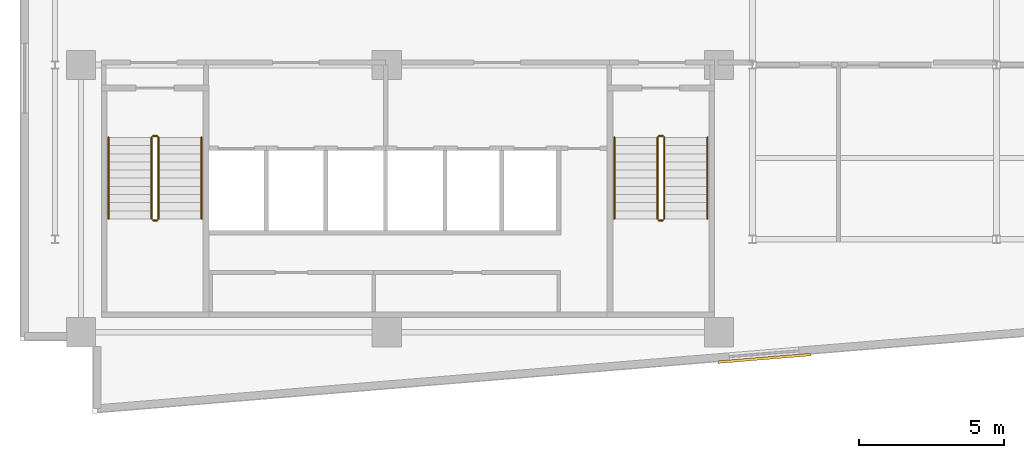
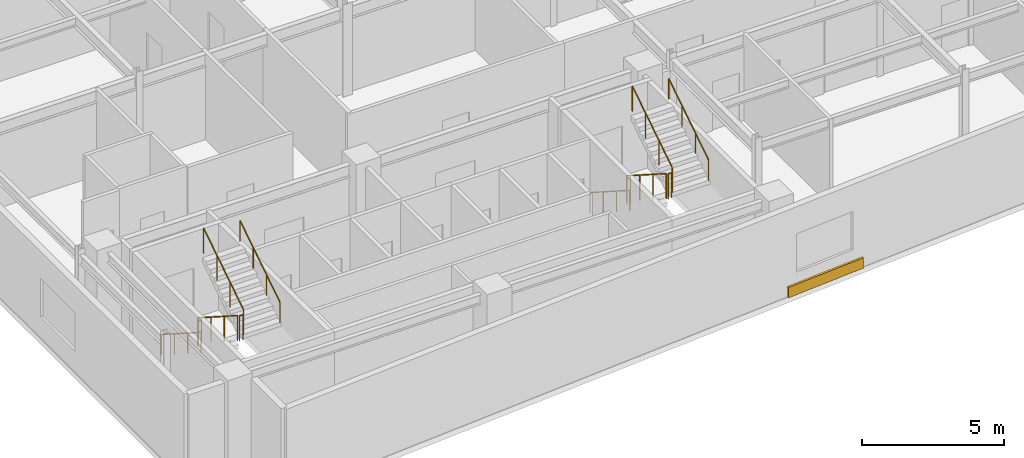
# One storey, part 12 of 14: 12 railings, 1 covering.
"""IFC4 building model written with IfcOpenShell, lengths in metres."""

from ifc_helpers import new_model, si_unit, direction, frame, origin, origin_2d, place, context, subcontext, project, spatial, rectangle, circle, extrude, material, layer, layer_set, type_object, element, save


model = new_model("IFC4")

# Units and contexts
model_context = context("Model", 3, precision=1e-05, world=origin(), true_north=direction((0.0, 1.0)))
body_context = subcontext(model_context, "Body", "Model", "MODEL_VIEW")
ifc_project = project(units=[si_unit("LENGTHUNIT", "METRE"), si_unit("AREAUNIT", "SQUARE_METRE"), si_unit("VOLUMEUNIT", "CUBIC_METRE"), si_unit("PLANEANGLEUNIT", "RADIAN"), si_unit("MASSUNIT", "GRAM", prefix="KILO")], contexts=[model_context])

# Site, building, storey
site_placement = place(None, origin())
site = spatial("IfcSite", under=ifc_project, at=site_placement, CompositionType="ELEMENT")
building_placement = place(site_placement, origin())
building = spatial("IfcBuilding", under=site, at=building_placement, Name="Varnakote Quay Hospital", CompositionType="ELEMENT")
storey_placement = place(building_placement, frame((0.0, 0.0, 211.85009765625)))
storey = spatial("IfcBuildingStorey", under=building, at=storey_placement, Name="L52", CompositionType="ELEMENT", Elevation=211.85009765625)

# Covering
ifc_material_1 = material(Name="Kiln-fired red brick architectural cladding", Category="masonry")
ifc_layer = layer(ifc_material_1, 0.090087890625)
ifc_layer_set = layer_set([ifc_layer], Name="Kiln-fired red brick architectural cladding")
covering_type = type_object("IfcCoveringType", Name="COV-BRICK-CLAD-90", PredefinedType="CLADDING", material=ifc_layer_set)
covering_placement = place(storey_placement, frame((25.613037109375, 1.901123046875, 0.0), z_axis=(0.0, 0.0, 1.0), x_axis=(0.996637386818, 0.08193850863, 0.0)))
element("IfcCovering", 1, at=covering_placement, inside=storey, type_object=covering_type, Name="L52 Kiln-Brick Precast Spandrel Cladding Band", PredefinedType="CLADDING", context=body_context, shape_type="SweptSolid", body=[
    extrude(rectangle(XDim=3.199951171875, YDim=0.090087890625, at=origin_2d()), origin(), (0.0, 0.0, 1.0), 0.449951171875),
])

# Railings
ifc_material_2 = material(Name="Brushed stainless steel balustrade", Category="steel")
railing_type_1 = type_object("IfcRailingType", Name="RLG-STAIR-GUARD-1150", PredefinedType="GUARDRAIL", material=ifc_material_2)
railing_1_placement = place(storey_placement, frame((4.530029296875, 9.5, 0.179443359375)))
element("IfcRailing", 2, at=railing_1_placement, inside=storey, type_object=railing_type_1, Name="L52 ST-01 stair guard 1", PredefinedType="GUARDRAIL", context=body_context, shape_type="SweptSolid", body=[
    extrude(circle(Radius=0.02392578125, at=origin_2d()), frame((0.0, 0.0, 1.076171875), z_axis=(0.0, -0.841809871826, 0.539774156196), x_axis=(1.0, 0.0, 0.0)), (0.0, 0.0, 1.0), 3.326171875),
    extrude(circle(Radius=0.02099609375, at=origin_2d()), origin(), (0.0, 0.0, 1.0), 1.052001953125),
    extrude(circle(Radius=0.02099609375, at=origin_2d()), frame((0.0, -0.933349609375, 0.598388671875)), (0.0, 0.0, 1.0), 1.052001953125),
    extrude(circle(Radius=0.02099609375, at=origin_2d()), frame((0.0, -1.86669921875, 1.197021484375)), (0.0, 0.0, 1.0), 1.052001953125),
    extrude(circle(Radius=0.02099609375, at=origin_2d()), frame((0.0, -2.800048828125, 1.79541015625)), (0.0, 0.0, 1.0), 1.052001953125),
])
railing_2_placement = place(storey_placement, frame((4.580078125, 6.64990234375, 1.974853515625)))
element("IfcRailing", 3, at=railing_2_placement, inside=storey, type_object=railing_type_1, Name="L52 ST-01 stair guard 2", PredefinedType="GUARDRAIL", context=body_context, shape_type="SweptSolid", body=[
    extrude(circle(Radius=0.02392578125, at=origin_2d()), frame((0.0, 0.0, 1.076171875), z_axis=(1.0, 0.0, 0.0), x_axis=(0.0, 1.0, 0.0)), (0.0, 0.0, 1.0), 0.139892578125),
    extrude(circle(Radius=0.02099609375, at=origin_2d()), origin(), (0.0, 0.0, 1.0), 1.052001953125),
    extrude(circle(Radius=0.02099609375, at=origin_2d()), frame((0.139892578125, 0.0, 0.0)), (0.0, 0.0, 1.0), 1.052001953125),
])
railing_3_placement = place(storey_placement, frame((4.77001953125, 6.699951171875, 2.154541015625)))
element("IfcRailing", 4, at=railing_3_placement, inside=storey, type_object=railing_type_1, Name="L52 ST-01 stair guard 3", PredefinedType="GUARDRAIL", context=body_context, shape_type="SweptSolid", body=[
    extrude(circle(Radius=0.02392578125, at=origin_2d()), frame((0.0, 0.0, 1.076171875), z_axis=(0.0, 0.841809871826, 0.539774156196), x_axis=(-1.0, 0.0, 0.0)), (0.0, 0.0, 1.0), 3.326171875),
    extrude(circle(Radius=0.02099609375, at=origin_2d()), origin(), (0.0, 0.0, 1.0), 1.052001953125),
    extrude(circle(Radius=0.02099609375, at=origin_2d()), frame((0.0, 0.933349609375, 0.598388671875)), (0.0, 0.0, 1.0), 1.052001953125),
    extrude(circle(Radius=0.02099609375, at=origin_2d()), frame((0.0, 1.86669921875, 1.197021484375)), (0.0, 0.0, 1.0), 1.052001953125),
    extrude(circle(Radius=0.02099609375, at=origin_2d()), frame((0.0, 2.800048828125, 1.79541015625)), (0.0, 0.0, 1.0), 1.052001953125),
])
railing_4_placement = place(storey_placement, frame((4.580078125, 9.550048828125, 0.0)))
element("IfcRailing", 5, at=railing_4_placement, inside=storey, type_object=railing_type_1, Name="L52 ST-01 stair guard 4", PredefinedType="GUARDRAIL", context=body_context, shape_type="SweptSolid", body=[
    extrude(circle(Radius=0.02392578125, at=origin_2d()), frame((0.0, 0.0, 1.076171875), z_axis=(1.0, 0.0, 0.0), x_axis=(0.0, 1.0, 0.0)), (0.0, 0.0, 1.0), 0.139892578125),
    extrude(circle(Radius=0.02099609375, at=origin_2d()), origin(), (0.0, 0.0, 1.0), 1.052001953125),
    extrude(circle(Radius=0.02099609375, at=origin_2d()), frame((0.139892578125, 0.0, 0.0)), (0.0, 0.0, 1.0), 1.052001953125),
])
railing_5_placement = place(storey_placement, frame((21.929931640625, 9.5, 0.179443359375)))
element("IfcRailing", 6, at=railing_5_placement, inside=storey, type_object=railing_type_1, Name="L52 ST-02 stair guard 1", PredefinedType="GUARDRAIL", context=body_context, shape_type="SweptSolid", body=[
    extrude(circle(Radius=0.02392578125, at=origin_2d()), frame((0.0, 0.0, 1.076171875), z_axis=(0.0, -0.841809871826, 0.539774156196), x_axis=(1.0, 0.0, 0.0)), (0.0, 0.0, 1.0), 3.326171875),
    extrude(circle(Radius=0.02099609375, at=origin_2d()), origin(), (0.0, 0.0, 1.0), 1.052001953125),
    extrude(circle(Radius=0.02099609375, at=origin_2d()), frame((0.0, -0.933349609375, 0.598388671875)), (0.0, 0.0, 1.0), 1.052001953125),
    extrude(circle(Radius=0.02099609375, at=origin_2d()), frame((0.0, -1.86669921875, 1.197021484375)), (0.0, 0.0, 1.0), 1.052001953125),
    extrude(circle(Radius=0.02099609375, at=origin_2d()), frame((0.0, -2.800048828125, 1.79541015625)), (0.0, 0.0, 1.0), 1.052001953125),
])
railing_6_placement = place(storey_placement, frame((21.97998046875, 6.64990234375, 1.974853515625)))
element("IfcRailing", 7, at=railing_6_placement, inside=storey, type_object=railing_type_1, Name="L52 ST-02 stair guard 2", PredefinedType="GUARDRAIL", context=body_context, shape_type="SweptSolid", body=[
    extrude(circle(Radius=0.02392578125, at=origin_2d()), frame((0.0, 0.0, 1.076171875), z_axis=(1.0, 0.0, 0.0), x_axis=(0.0, 1.0, 0.0)), (0.0, 0.0, 1.0), 0.14013671875),
    extrude(circle(Radius=0.02099609375, at=origin_2d()), origin(), (0.0, 0.0, 1.0), 1.052001953125),
    extrude(circle(Radius=0.02099609375, at=origin_2d()), frame((0.14013671875, 0.0, 0.0)), (0.0, 0.0, 1.0), 1.052001953125),
])
railing_7_placement = place(storey_placement, frame((22.169921875, 6.699951171875, 2.154541015625)))
element("IfcRailing", 8, at=railing_7_placement, inside=storey, type_object=railing_type_1, Name="L52 ST-02 stair guard 3", PredefinedType="GUARDRAIL", context=body_context, shape_type="SweptSolid", body=[
    extrude(circle(Radius=0.02392578125, at=origin_2d()), frame((0.0, 0.0, 1.076171875), z_axis=(0.0, 0.841809871826, 0.539774156196), x_axis=(-1.0, 0.0, 0.0)), (0.0, 0.0, 1.0), 3.326171875),
    extrude(circle(Radius=0.02099609375, at=origin_2d()), origin(), (0.0, 0.0, 1.0), 1.052001953125),
    extrude(circle(Radius=0.02099609375, at=origin_2d()), frame((0.0, 0.933349609375, 0.598388671875)), (0.0, 0.0, 1.0), 1.052001953125),
    extrude(circle(Radius=0.02099609375, at=origin_2d()), frame((0.0, 1.86669921875, 1.197021484375)), (0.0, 0.0, 1.0), 1.052001953125),
    extrude(circle(Radius=0.02099609375, at=origin_2d()), frame((0.0, 2.800048828125, 1.79541015625)), (0.0, 0.0, 1.0), 1.052001953125),
])
railing_8_placement = place(storey_placement, frame((21.97998046875, 9.550048828125, 0.0)))
element("IfcRailing", 9, at=railing_8_placement, inside=storey, type_object=railing_type_1, Name="L52 ST-02 stair guard 4", PredefinedType="GUARDRAIL", context=body_context, shape_type="SweptSolid", body=[
    extrude(circle(Radius=0.02392578125, at=origin_2d()), frame((0.0, 0.0, 1.076171875), z_axis=(1.0, 0.0, 0.0), x_axis=(0.0, 1.0, 0.0)), (0.0, 0.0, 1.0), 0.14013671875),
    extrude(circle(Radius=0.02099609375, at=origin_2d()), origin(), (0.0, 0.0, 1.0), 1.052001953125),
    extrude(circle(Radius=0.02099609375, at=origin_2d()), frame((0.14013671875, 0.0, 0.0)), (0.0, 0.0, 1.0), 1.052001953125),
])
ifc_material_3 = material(Name="Brushed stainless steel handrail", Category="steel")
railing_type_2 = type_object("IfcRailingType", Name="RLG-STAIR-HND-920", PredefinedType="HANDRAIL", material=ifc_material_3)
railing_9_placement = place(storey_placement, frame((3.050048828125, 9.5, 0.179443359375)))
element("IfcRailing", 10, at=railing_9_placement, inside=storey, type_object=railing_type_2, Name="L52 ST-01 stair handrail 1", PredefinedType="HANDRAIL", context=body_context, shape_type="SweptSolid", body=[
    extrude(circle(Radius=0.02392578125, at=origin_2d()), frame((0.0, 0.0, 0.8759765625), z_axis=(0.0, -0.841809871826, 0.539774156196), x_axis=(1.0, 0.0, 0.0)), (0.0, 0.0, 1.0), 3.326171875),
    extrude(circle(Radius=0.02099609375, at=origin_2d()), origin(), (0.0, 0.0, 1.0), 0.851806640625),
    extrude(circle(Radius=0.02099609375, at=origin_2d()), frame((0.0, -0.933349609375, 0.598388671875)), (0.0, 0.0, 1.0), 0.851806640625),
    extrude(circle(Radius=0.02099609375, at=origin_2d()), frame((0.0, -1.86669921875, 1.197021484375)), (0.0, 0.0, 1.0), 0.851806640625),
    extrude(circle(Radius=0.02099609375, at=origin_2d()), frame((0.0, -2.800048828125, 1.79541015625)), (0.0, 0.0, 1.0), 0.851806640625),
])
railing_10_placement = place(storey_placement, frame((6.25, 6.699951171875, 2.154541015625)))
element("IfcRailing", 11, at=railing_10_placement, inside=storey, type_object=railing_type_2, Name="L52 ST-01 stair handrail 2", PredefinedType="HANDRAIL", context=body_context, shape_type="SweptSolid", body=[
    extrude(circle(Radius=0.02392578125, at=origin_2d()), frame((0.0, 0.0, 0.8759765625), z_axis=(0.0, 0.841809871826, 0.539774156196), x_axis=(-1.0, 0.0, 0.0)), (0.0, 0.0, 1.0), 3.326171875),
    extrude(circle(Radius=0.02099609375, at=origin_2d()), origin(), (0.0, 0.0, 1.0), 0.851806640625),
    extrude(circle(Radius=0.02099609375, at=origin_2d()), frame((0.0, 0.933349609375, 0.598388671875)), (0.0, 0.0, 1.0), 0.851806640625),
    extrude(circle(Radius=0.02099609375, at=origin_2d()), frame((0.0, 1.86669921875, 1.197021484375)), (0.0, 0.0, 1.0), 0.851806640625),
    extrude(circle(Radius=0.02099609375, at=origin_2d()), frame((0.0, 2.800048828125, 1.79541015625)), (0.0, 0.0, 1.0), 0.851806640625),
])
railing_11_placement = place(storey_placement, frame((20.449951171875, 9.5, 0.179443359375)))
element("IfcRailing", 12, at=railing_11_placement, inside=storey, type_object=railing_type_2, Name="L52 ST-02 stair handrail 1", PredefinedType="HANDRAIL", context=body_context, shape_type="SweptSolid", body=[
    extrude(circle(Radius=0.02392578125, at=origin_2d()), frame((0.0, 0.0, 0.8759765625), z_axis=(0.0, -0.841809871826, 0.539774156196), x_axis=(1.0, 0.0, 0.0)), (0.0, 0.0, 1.0), 3.326171875),
    extrude(circle(Radius=0.02099609375, at=origin_2d()), origin(), (0.0, 0.0, 1.0), 0.851806640625),
    extrude(circle(Radius=0.02099609375, at=origin_2d()), frame((0.0, -0.933349609375, 0.598388671875)), (0.0, 0.0, 1.0), 0.851806640625),
    extrude(circle(Radius=0.02099609375, at=origin_2d()), frame((0.0, -1.86669921875, 1.197021484375)), (0.0, 0.0, 1.0), 0.851806640625),
    extrude(circle(Radius=0.02099609375, at=origin_2d()), frame((0.0, -2.800048828125, 1.79541015625)), (0.0, 0.0, 1.0), 0.851806640625),
])
railing_12_placement = place(storey_placement, frame((23.64990234375, 6.699951171875, 2.154541015625)))
element("IfcRailing", 13, at=railing_12_placement, inside=storey, type_object=railing_type_2, Name="L52 ST-02 stair handrail 2", PredefinedType="HANDRAIL", context=body_context, shape_type="SweptSolid", body=[
    extrude(circle(Radius=0.02392578125, at=origin_2d()), frame((0.0, 0.0, 0.8759765625), z_axis=(0.0, 0.841809871826, 0.539774156196), x_axis=(-1.0, 0.0, 0.0)), (0.0, 0.0, 1.0), 3.326171875),
    extrude(circle(Radius=0.02099609375, at=origin_2d()), origin(), (0.0, 0.0, 1.0), 0.851806640625),
    extrude(circle(Radius=0.02099609375, at=origin_2d()), frame((0.0, 0.933349609375, 0.598388671875)), (0.0, 0.0, 1.0), 0.851806640625),
    extrude(circle(Radius=0.02099609375, at=origin_2d()), frame((0.0, 1.86669921875, 1.197021484375)), (0.0, 0.0, 1.0), 0.851806640625),
    extrude(circle(Radius=0.02099609375, at=origin_2d()), frame((0.0, 2.800048828125, 1.79541015625)), (0.0, 0.0, 1.0), 0.851806640625),
])

save(model, "model.ifc")
